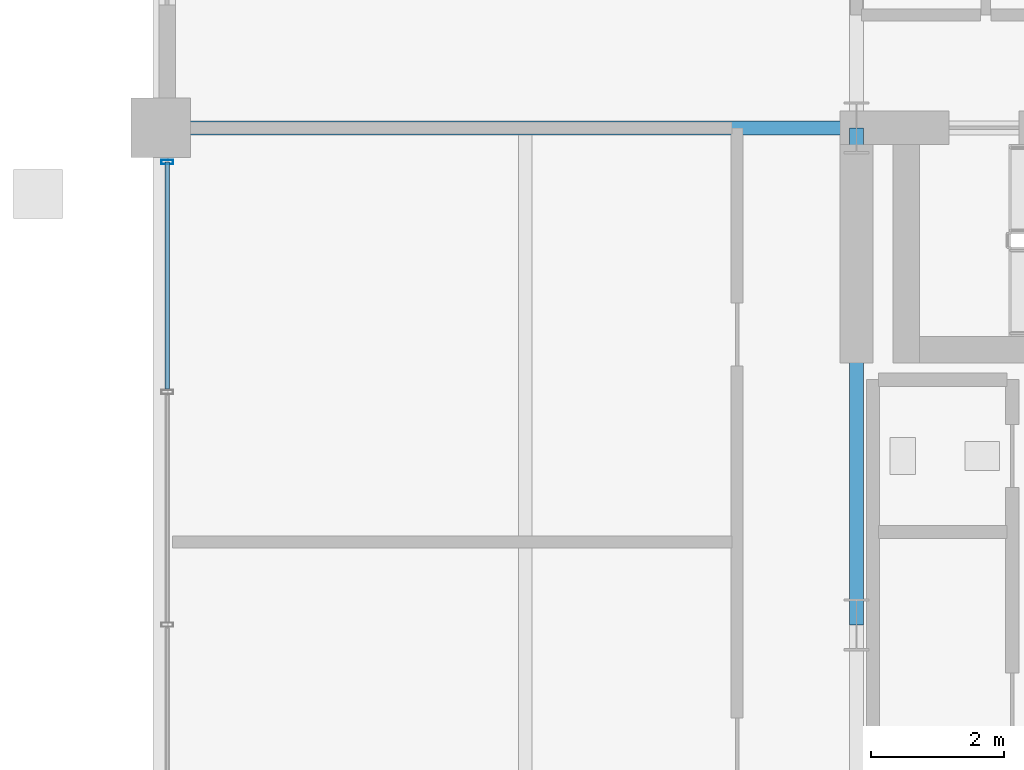
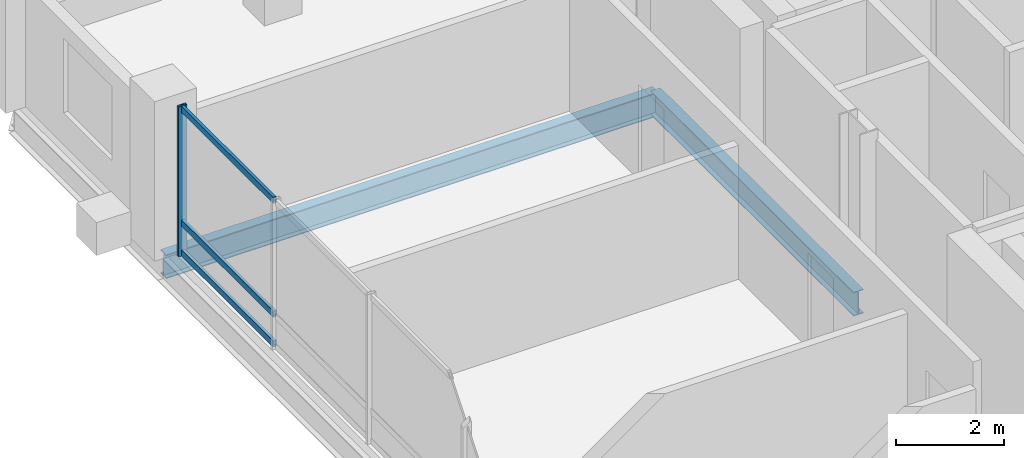
# One storey, part 8 of 21: 4 members, 2 beams, 1 element without a shape of its own.
"""IFC4 building model written with IfcOpenShell, lengths in metres."""

from ifc_helpers import new_model, si_unit, direction, frame, origin, origin_2d, place, context, subcontext, project, spatial, hollow_rectangle, i_section, extrude, material, layer, layer_set, material_profile, profile_set, type_object, element, aggregate, save


model = new_model("IFC4")

# Units and contexts
model_context = context("Model", 3, precision=1e-05, world=origin(), true_north=direction((0.0, 1.0)))
body_context = subcontext(model_context, "Body", "Model", "MODEL_VIEW")
ifc_project = project(units=[si_unit("LENGTHUNIT", "METRE"), si_unit("AREAUNIT", "SQUARE_METRE"), si_unit("VOLUMEUNIT", "CUBIC_METRE"), si_unit("PLANEANGLEUNIT", "RADIAN"), si_unit("MASSUNIT", "GRAM", prefix="KILO")], contexts=[model_context])

# Site, building, storey
site_placement = place(None, origin())
site = spatial("IfcSite", under=ifc_project, at=site_placement, CompositionType="ELEMENT")
building_placement = place(site_placement, origin())
building = spatial("IfcBuilding", under=site, at=building_placement, Name="Barlavira Tower and Art Museum", CompositionType="ELEMENT")
storey_placement = place(building_placement, frame((0.0, 0.0, 276.300048828125)))
storey = spatial("IfcBuildingStorey", under=building, at=storey_placement, Name="L72", CompositionType="ELEMENT", Elevation=276.300048828125)

# Curtain wall, members
ifc_material_1 = material(Name="Low-iron coastal laminated glass", Category="glass")
ifc_layer = layer(ifc_material_1, 0.2099609375, Name="Low-iron coastal laminated glass")
ifc_layer_set = layer_set([ifc_layer], Name="Low-iron coastal laminated glass")
curtain_wall_type = type_object("IfcCurtainWallType", Name="Pale-Metal Unitised Curtain Wall Zone 4", PredefinedType="NOTDEFINED", material=ifc_layer_set)
curtain_wall_placement = place(storey_placement, origin())
curtain_wall = element("IfcCurtainWall", 1, at=curtain_wall_placement, inside=storey, type_object=curtain_wall_type, Name="L72 Curtain Wall CW4-L72-W-B3", PredefinedType="NOTDEFINED")
ifc_material_2 = material(Name="Pale anodised aluminium", Category="aluminium")
ifc_material_profile_1 = material_profile(ifc_material_2, hollow_rectangle(XDim=0.06494140625, YDim=0.179931640625, WallThickness=0.00390625, at=origin_2d()), Name="ALU-MULL 65x180x4")
ifc_profile_set_1 = profile_set([ifc_material_profile_1], Name="Pale anodised aluminium")
member_type_1 = type_object("IfcMemberType", Name="Curtain Wall Pale-Metal Mullion 65x180", PredefinedType="MULLION", material=ifc_profile_set_1)
member_1_placement = place(storey_placement, frame((-16.89990234375, 6.985107421875, 0.0), z_axis=(0.0, 0.0, 1.0), x_axis=(0.0, -1.0, 0.0)))
member_1 = element("IfcMember", 2, at=member_1_placement, type_object=member_type_1, Name="CW4-L72-W-B3 Mullion 0", PredefinedType="MULLION", context=body_context, shape_type="SweptSolid", body=[
    extrude(hollow_rectangle(XDim=0.06494140625, YDim=0.179931640625, WallThickness=0.00390625, at=origin_2d()), origin(), (0.0, 0.0, 1.0), 3.3798828125),
])
ifc_material_profile_2 = material_profile(ifc_material_2, hollow_rectangle(XDim=0.06494140625, YDim=0.139892578125, WallThickness=0.00390625, at=origin_2d()), Name="ALU-TRAN 65x140x4")
ifc_profile_set_2 = profile_set([ifc_material_profile_2], Name="Pale anodised aluminium")
member_type_2 = type_object("IfcMemberType", Name="Curtain Wall Pale-Metal Transom 65x140", PredefinedType="USERDEFINED", material=ifc_profile_set_2)
member_2_placement = place(storey_placement, frame((-16.89990234375, 6.985107421875, 0.070068359375), z_axis=(0.0, -1.0, 0.0), x_axis=(1.0, 0.0, 0.0)))
member_2 = element("IfcMember", 3, at=member_2_placement, type_object=member_type_2, Name="CW4-L72-W-B3 Transom 0.1", ObjectType="TRANSOM", PredefinedType="USERDEFINED", context=body_context, shape_type="SweptSolid", body=[
    extrude(hollow_rectangle(XDim=0.06494140625, YDim=0.139892578125, WallThickness=0.00390625, at=origin_2d()), origin(), (0.0, 0.0, 1.0), 3.425048828125),
])
member_3_placement = place(storey_placement, frame((-16.89990234375, 6.985107421875, 0.743896484375), z_axis=(0.0, -1.0, 0.0), x_axis=(1.0, 0.0, 0.0)))
member_3 = element("IfcMember", 4, at=member_3_placement, type_object=member_type_2, Name="CW4-L72-W-B3 Transom 0.2", ObjectType="TRANSOM", PredefinedType="USERDEFINED", context=body_context, shape_type="SweptSolid", body=[
    extrude(hollow_rectangle(XDim=0.06494140625, YDim=0.139892578125, WallThickness=0.00390625, at=origin_2d()), origin(), (0.0, 0.0, 1.0), 3.425048828125),
])
member_4_placement = place(storey_placement, frame((-16.89990234375, 6.985107421875, 3.31005859375), z_axis=(0.0, -1.0, 0.0), x_axis=(1.0, 0.0, 0.0)))
member_4 = element("IfcMember", 5, at=member_4_placement, type_object=member_type_2, Name="CW4-L72-W-B3 Transom 0.3", ObjectType="TRANSOM", PredefinedType="USERDEFINED", context=body_context, shape_type="SweptSolid", body=[
    extrude(hollow_rectangle(XDim=0.06494140625, YDim=0.139892578125, WallThickness=0.00390625, at=origin_2d()), origin(), (0.0, 0.0, 1.0), 3.425048828125),
])
aggregate(curtain_wall, [member_1, member_2, member_3, member_4])

# Beams
ifc_material_3 = material(Name="Steel S355", Category="steel")
ifc_material_profile_3 = material_profile(ifc_material_3, i_section(OverallWidth=0.2109375, OverallDepth=0.5390625, WebThickness=0.01171875, FlangeThickness=0.018798828125, at=origin_2d()), Name="W530x109.0")
ifc_profile_set_3 = profile_set([ifc_material_profile_3], Name="Steel S355")
beam_type = type_object("IfcBeamType", Name="Zone 3-4 Primary Floor Girder W530x109 Steel S355", PredefinedType="BEAM", material=ifc_profile_set_3)
beam_1_placement = place(storey_placement, frame((-6.5, 0.0, -0.489501953125), z_axis=(0.0, 1.0, 0.0), x_axis=(-1.0, 0.0, 0.0)))
element("IfcBeam", 6, at=beam_1_placement, inside=storey, type_object=beam_type, Name="L72 Girder C-W2", PredefinedType="BEAM", context=body_context, shape_type="SweptSolid", body=[
    extrude(i_section(OverallWidth=0.2109375, OverallDepth=0.5390625, WebThickness=0.01171875, FlangeThickness=0.018798828125, at=origin_2d()), origin(), (0.0, 0.0, 1.0), 7.5),
])
beam_2_placement = place(storey_placement, frame((-17.0, 7.5, -0.489501953125), z_axis=(1.0, 0.0, 0.0), x_axis=(0.0, 1.0, 0.0)))
element("IfcBeam", 7, at=beam_2_placement, inside=storey, type_object=beam_type, Name="L72 Girder R-W2", PredefinedType="BEAM", context=body_context, shape_type="SweptSolid", body=[
    extrude(i_section(OverallWidth=0.2109375, OverallDepth=0.5390625, WebThickness=0.01171875, FlangeThickness=0.018798828125, at=origin_2d()), origin(), (0.0, 0.0, 1.0), 10.5),
])

save(model, "model.ifc")
